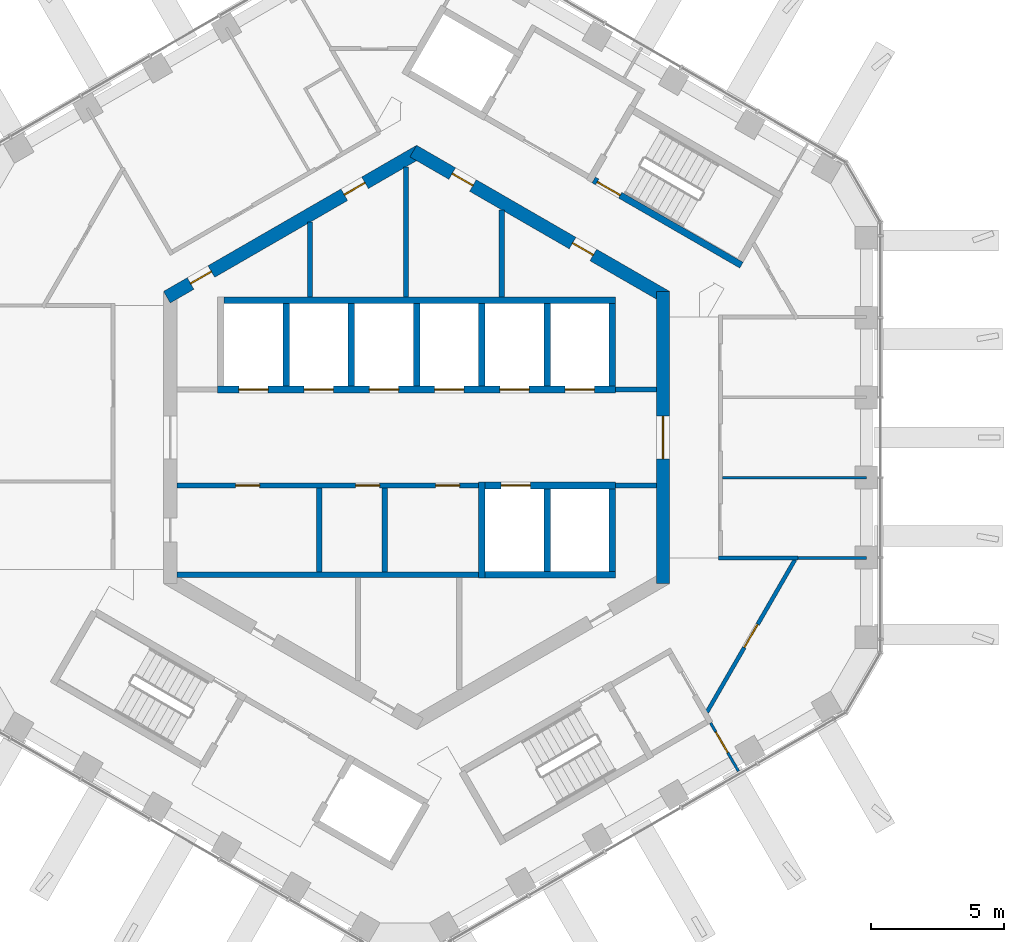
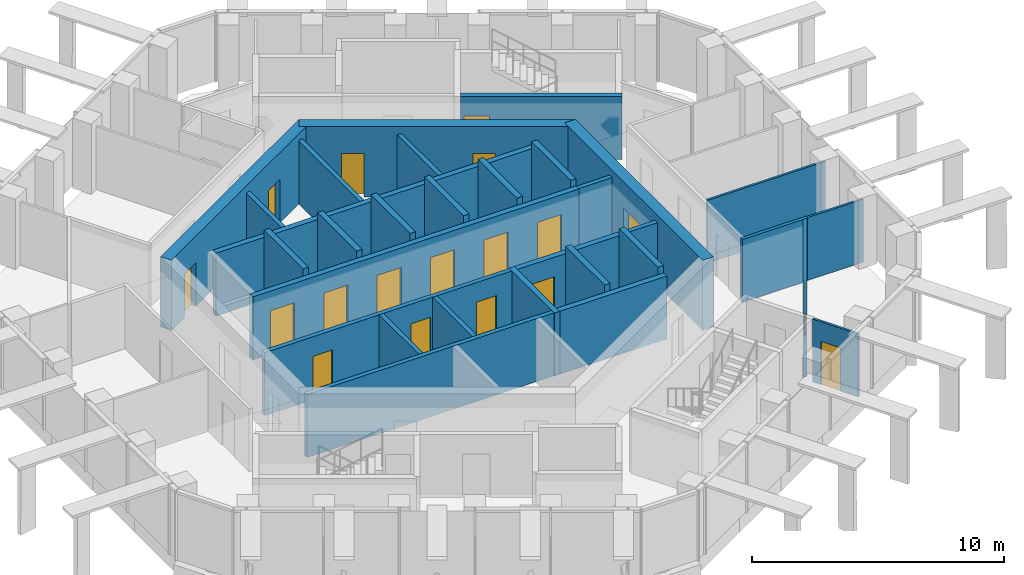
# One storey, part 12 of 18: 31 walls, 18 doors, 18 openings.
"""IFC4 building model written with IfcOpenShell, lengths in metres."""

import ifcopenshell
import ifcopenshell.guid

model = None  # the IFC model being written
_history = None  # IfcOwnerHistory: only IFC2X3 demands one
_inside = {}  # id of a spatial element -> (the spatial element, [elements in it])
_under = {}  # id of a project, library or spatial element -> (it, [spatial elements below it])
_declared = {}  # id of a project -> (the project, [libraries it declares])
_typed = {}  # id of a type object -> (the type object, [elements of that type])
_made_of = {}  # id of a material, layer set ... -> (it, [elements and type objects made of it])


def new_model(schema):
    """Start an empty IFC model of exactly this schema.

    Asked for "IFC4X3", IfcOpenShell would pick the latest addendum, in which some entities
    have other attributes; the version numbers below select the first issue.
    IFC2X3 requires an IfcOwnerHistory on every rooted entity: one is made here for all.
    """
    global model, _history
    if schema == "IFC4X3":
        model = ifcopenshell.file(schema_version=(4, 3, 0, 0))
    else:
        model = ifcopenshell.file(schema=schema)
    _inside.clear()
    _under.clear()
    _declared.clear()
    _typed.clear()
    _made_of.clear()
    _history = None
    if model.schema == "IFC2X3":
        org = make("IfcOrganization", Name="unknown")
        user = make(
            "IfcPersonAndOrganization",
            ThePerson=make("IfcPerson", FamilyName="unknown"),
            TheOrganization=org,
        )
        app = make(
            "IfcApplication",
            ApplicationDeveloper=org,
            Version="unknown",
            ApplicationFullName="unknown",
            ApplicationIdentifier="unknown",
        )
        _history = make(
            "IfcOwnerHistory",
            OwningUser=user,
            OwningApplication=app,
            ChangeAction="ADDED",
            CreationDate=0,
        )
    return model


def make(cls, **values):
    """One entity of the class cls with the attributes given. An attribute that is None is left unset."""
    return model.create_entity(
        cls, **{name: value for name, value in values.items() if value is not None}
    )


def rooted(cls, **values):
    """An entity with a GlobalId (a new one), such as an element, a storey or a relation."""
    return make(cls, GlobalId=ifcopenshell.guid.new(), OwnerHistory=_history, **values)


def si_unit(unit_type, name, prefix=None):
    """IfcSIUnit, for example si_unit("LENGTHUNIT", "METRE", prefix="MILLI")."""
    return make("IfcSIUnit", UnitType=unit_type, Prefix=prefix, Name=name)


def assignment(units):
    """IfcUnitAssignment: the units of a project."""
    return None if units is None else make("IfcUnitAssignment", Units=units)


def point(xyz):
    """IfcCartesianPoint."""
    return None if xyz is None else make("IfcCartesianPoint", Coordinates=xyz)


def direction(xyz):
    """IfcDirection."""
    return None if xyz is None else make("IfcDirection", DirectionRatios=xyz)


def frame(location, z_axis=None, x_axis=None):
    """IfcAxis2Placement3D, a coordinate frame: its origin and axes. An axis left out is left unset."""
    return make(
        "IfcAxis2Placement3D",
        Location=point(location),
        Axis=direction(z_axis),
        RefDirection=direction(x_axis),
    )


def frame_2d(location, x_axis=None):
    """IfcAxis2Placement2D, a coordinate frame in the plane: its origin and x axis."""
    return make(
        "IfcAxis2Placement2D", Location=point(location), RefDirection=direction(x_axis)
    )


def origin():
    """The frame at (0, 0, 0) with its axes left unset."""
    return frame((0.0, 0.0, 0.0))


def place(relative_to, where):
    """IfcLocalPlacement: puts the frame where relative to a parent placement (None: the world)."""
    return make(
        "IfcLocalPlacement", PlacementRelTo=relative_to, RelativePlacement=where
    )


def context(
    kind, dimensions, precision=None, world=None, true_north=None, identifier=None
):
    """IfcGeometricRepresentationContext, for example the 3D "Model" context."""
    return make(
        "IfcGeometricRepresentationContext",
        ContextIdentifier=identifier,
        ContextType=kind,
        CoordinateSpaceDimension=dimensions,
        Precision=precision,
        WorldCoordinateSystem=world,
        TrueNorth=true_north,
    )


def subcontext(parent, identifier, kind, view, scale=None):
    """IfcGeometricRepresentationSubContext, for example "Body" below "Model"."""
    return make(
        "IfcGeometricRepresentationSubContext",
        ContextIdentifier=identifier,
        ContextType=kind,
        ParentContext=parent,
        TargetScale=scale,
        TargetView=view,
    )


def project(units=None, contexts=None):
    """IfcProject with its units and contexts."""
    return rooted(
        "IfcProject",
        Name="project",
        RepresentationContexts=contexts,
        UnitsInContext=assignment(units),
    )


def spatial(cls, under=None, at=None, **own):
    """A site, building, storey or space (cls), placed at a placement, below another one or the project."""
    s = rooted(cls, ObjectPlacement=at, **own)
    if under is not None:
        _under.setdefault(under.id(), (under, []))[1].append(s)
    return s


def profile(cls, at=None, kind="AREA", **sizes):
    """A parametric profile (cls). Its sizes go by their IFC names, for example OverallWidth=200.0."""
    return make(cls, ProfileType=kind, Position=at, **sizes)


def rectangle(**sizes):
    """IfcRectangleProfileDef."""
    return profile("IfcRectangleProfileDef", **sizes)


def extrude(swept, where, along, depth):
    """IfcExtrudedAreaSolid: the profile swept, set in the frame where, extruded along a direction by depth."""
    return make(
        "IfcExtrudedAreaSolid",
        SweptArea=swept,
        Position=where,
        ExtrudedDirection=direction(along),
        Depth=depth,
    )


def shape(context_of_items, identifier, shape_type, items):
    """IfcShapeRepresentation: the items that make up one representation, for example the "Body"."""
    return make(
        "IfcShapeRepresentation",
        ContextOfItems=context_of_items,
        RepresentationIdentifier=identifier,
        RepresentationType=shape_type,
        Items=items,
    )


def material(Name=None, Category=None):
    """IfcMaterial."""
    return make("IfcMaterial", Name=Name, Category=Category)


def layer(
    of_material, thickness, ventilated=None, Name=None, Category=None, Priority=None
):
    """IfcMaterialLayer: one layer of a wall or slab, of a material (None: an air gap)."""
    return make(
        "IfcMaterialLayer",
        Material=of_material,
        LayerThickness=thickness,
        IsVentilated=ventilated,
        Name=Name,
        Category=Category,
        Priority=Priority,
    )


def layer_set(layers, Name=None):
    """IfcMaterialLayerSet."""
    return make("IfcMaterialLayerSet", MaterialLayers=layers, LayerSetName=Name)


def made_of(thing, what):
    """Note that an element or type object is made of a material, layer set ...; save() writes the relation."""
    if what is not None:
        _made_of.setdefault(what.id(), (what, []))[1].append(thing)
    return thing


def type_object(cls, material=None, **own):
    """A type object (cls), such as IfcWallType, which elements share."""
    return made_of(rooted(cls, **own), material)


def element(
    cls,
    number,
    at=None,
    inside=None,
    cuts=None,
    type_object=None,
    material=None,
    context=None,
    identifier="Body",
    shape_type=None,
    held_by="IfcProductDefinitionShape",
    body=None,
    shapes=None,
    **own,
):
    """One element of the class cls, such as IfcWall. Its Tag is "e" and its number.

    at: its placement. inside: the storey or other place that contains it. cuts: it is an
    opening in that element (IfcRelVoidsElement). A single representation is given by context,
    identifier, shape_type and body (its items); several are given by shapes. held_by: the class
    of the entity that holds the representations. save() writes the other relations.
    """
    e = rooted(cls, Tag="e%d" % number, ObjectPlacement=at, **own)
    if body is not None:
        shapes = [shape(context, identifier, shape_type, body)]
    if shapes is not None:
        e.Representation = make(held_by, Representations=shapes)
    if inside is not None:
        _inside.setdefault(inside.id(), (inside, []))[1].append(e)
    if cuts is not None:
        rooted(
            "IfcRelVoidsElement", RelatingBuildingElement=cuts, RelatedOpeningElement=e
        )
    if type_object is not None:
        _typed.setdefault(type_object.id(), (type_object, []))[1].append(e)
    return made_of(e, material)


def fill(opening, filler):
    """IfcRelFillsElement: the door or window that sits in an opening."""
    return rooted(
        "IfcRelFillsElement",
        RelatingOpeningElement=opening,
        RelatedBuildingElement=filler,
    )


def aggregate(whole, parts):
    """IfcRelAggregates: a whole, such as a stair, and the parts it consists of."""
    return rooted("IfcRelAggregates", RelatingObject=whole, RelatedObjects=parts)


def save(model, path):
    """Write the relations noted so far, then the file.

    IfcRelAggregates (storeys below a building ...), IfcRelContainedInSpatialStructure (elements
    in a storey), IfcRelDefinesByType, IfcRelAssociatesMaterial and IfcRelDeclares: one each for
    every whole, place, type object, material and project.
    """
    for whole, parts in _under.values():
        aggregate(whole, parts)
    for where, things in _inside.values():
        rooted(
            "IfcRelContainedInSpatialStructure",
            RelatedElements=things,
            RelatingStructure=where,
        )
    for kind, things in _typed.values():
        rooted("IfcRelDefinesByType", RelatedObjects=things, RelatingType=kind)
    for what, things in _made_of.values():
        rooted("IfcRelAssociatesMaterial", RelatedObjects=things, RelatingMaterial=what)
    for by, libraries in _declared.values():
        rooted("IfcRelDeclares", RelatingContext=by, RelatedDefinitions=libraries)
    model.write(path)


model = new_model("IFC4")

# Units and contexts
model_context = context("Model", 3, precision=1e-05, world=origin(), true_north=direction((0.0, 1.0)))
body_context = subcontext(model_context, "Body", "Model", "MODEL_VIEW")
ifc_project = project(units=[si_unit("LENGTHUNIT", "METRE"), si_unit("AREAUNIT", "SQUARE_METRE"), si_unit("VOLUMEUNIT", "CUBIC_METRE"), si_unit("PLANEANGLEUNIT", "RADIAN"), si_unit("MASSUNIT", "GRAM", prefix="KILO")], contexts=[model_context])

# Site, building, storey
site_placement = place(None, origin())
site = spatial("IfcSite", under=ifc_project, at=site_placement, CompositionType="ELEMENT")
building_placement = place(site_placement, origin())
building = spatial("IfcBuilding", under=site, at=building_placement, Name="Ayvan Gate Tower", CompositionType="ELEMENT")
storey_placement = place(building_placement, frame((0.0, 0.0, 242.699951171875)))
storey = spatial("IfcBuildingStorey", under=building, at=storey_placement, Name="L65", CompositionType="ELEMENT", Elevation=242.699951171875)

# Wall, opening, door
ifc_material_1 = material(Name="Concrete C60/75", Category="concrete")
ifc_layer_1 = layer(ifc_material_1, 0.5)
ifc_layer_set_1 = layer_set([ifc_layer_1], Name="Concrete C60/75")
wall_type_1 = type_object("IfcWallType", Name="Core wall 500 C60/75", PredefinedType="SHEAR", material=ifc_layer_set_1)
wall_1_placement = place(storey_placement, frame((9.25, -5.48486328125, 0.0), z_axis=(0.0, 0.0, 1.0), x_axis=(0.0, 1.0, 0.0)))
wall_1 = element("IfcWall", 1, at=wall_1_placement, inside=storey, type_object=wall_type_1, Name="CORE-L65-0", PredefinedType="SHEAR", context=body_context, shape_type="SweptSolid", body=[
    extrude(rectangle(XDim=10.9697265625, YDim=0.5, at=frame_2d((5.48486328125, 0.0))), origin(), (0.0, 0.0, 1.0), 3.400146484375),
])
opening_1_placement = place(wall_1_placement, frame((4.684814453125, 0.0, 0.0)))
opening_1 = element("IfcOpeningElement", 2, at=opening_1_placement, cuts=wall_1, Name="Opening L65-D45", PredefinedType="OPENING", context=body_context, shape_type="SweptSolid", body=[
    extrude(rectangle(XDim=1.60009765625, YDim=2.10009765625, at=frame_2d((0.800048828125, 1.050048828125))), frame((0.0, 0.260009765625, 0.0), z_axis=(0.0, -1.0, 0.0), x_axis=(1.0, 0.0, 0.0)), (0.0, 0.0, 1.0), 0.52001953125),
])
ifc_material_2 = material(Name="Timber door leaf", Category="wood")
door_type_1 = type_object("IfcDoorType", Name="DT-1600", OperationType="NOTDEFINED", PredefinedType="DOOR", material=ifc_material_2)
door_1_placement = place(opening_1_placement, origin())
door_1 = element("IfcDoor", 3, at=door_1_placement, inside=storey, type_object=door_type_1, Name="CD-L65-45", OperationType="SINGLE_SWING_RIGHT", OverallHeight=2.10009765625, OverallWidth=1.60009765625, PredefinedType="DOOR", context=body_context, shape_type="SweptSolid", body=[
    extrude(rectangle(XDim=1.60009765625, YDim=2.10009765625, at=frame_2d((0.800048828125, 1.050048828125))), frame((0.0, 0.02490234375, 0.0), z_axis=(0.0, -1.0, 0.0), x_axis=(1.0, 0.0, 0.0)), (0.0, 0.0, 1.0), 0.050048828125),
])
fill(opening_1, door_1)

# Wall, openings, doors
wall_2_placement = place(storey_placement, frame((9.375, 5.268310546875, 0.0), z_axis=(0.0, 0.0, 1.0), x_axis=(-0.866023993627, 0.500002442456, 0.0)))
wall_2 = element("IfcWall", 4, at=wall_2_placement, inside=storey, type_object=wall_type_1, Name="CORE-L65-1", PredefinedType="SHEAR", context=body_context, shape_type="SweptSolid", body=[
    extrude(rectangle(XDim=10.9697265625, YDim=0.5, at=frame_2d((5.48486328125, 0.0))), origin(), (0.0, 0.0, 1.0), 3.400146484375),
])
opening_2_placement = place(wall_2_placement, frame((8.3828125, 0.0, 0.0)))
opening_2 = element("IfcOpeningElement", 5, at=opening_2_placement, cuts=wall_2, Name="Opening L65-D39", PredefinedType="OPENING", context=body_context, shape_type="SweptSolid", body=[
    extrude(rectangle(XDim=0.89990234375, YDim=2.10009765625, at=frame_2d((0.449951171875, 1.050048828125))), frame((0.0, 0.260009765625, 0.0), z_axis=(0.0, -1.0, 0.0), x_axis=(1.0, 0.0, 0.0)), (0.0, 0.0, 1.0), 0.52001953125),
])
opening_3_placement = place(wall_2_placement, frame((3.164794921875, 0.0, 0.0)))
opening_3 = element("IfcOpeningElement", 6, at=opening_3_placement, cuts=wall_2, Name="Opening L65-D40", PredefinedType="OPENING", context=body_context, shape_type="SweptSolid", body=[
    extrude(rectangle(XDim=0.89990234375, YDim=2.10009765625, at=frame_2d((0.449951171875, 1.050048828125))), frame((0.0, 0.260009765625, 0.0), z_axis=(0.0, -1.0, 0.0), x_axis=(1.0, 0.0, 0.0)), (0.0, 0.0, 1.0), 0.52001953125),
])
door_type_2 = type_object("IfcDoorType", Name="DT-900", OperationType="NOTDEFINED", PredefinedType="DOOR", material=ifc_material_2)
door_2_placement = place(opening_2_placement, origin())
door_2 = element("IfcDoor", 7, at=door_2_placement, inside=storey, type_object=door_type_2, Name="CD-L65-39", OperationType="SINGLE_SWING_RIGHT", OverallHeight=2.10009765625, OverallWidth=0.89990234375, PredefinedType="DOOR", context=body_context, shape_type="SweptSolid", body=[
    extrude(rectangle(XDim=0.89990234375, YDim=2.10009765625, at=frame_2d((0.449951171875, 1.050048828125))), frame((0.0, 0.02490234375, 0.0), z_axis=(0.0, -1.0, 0.0), x_axis=(1.0, 0.0, 0.0)), (0.0, 0.0, 1.0), 0.050048828125),
])
fill(opening_2, door_2)
door_3_placement = place(opening_3_placement, origin())
door_3 = element("IfcDoor", 8, at=door_3_placement, inside=storey, type_object=door_type_2, Name="CD-L65-40", OperationType="SINGLE_SWING_LEFT", OverallHeight=2.10009765625, OverallWidth=0.89990234375, PredefinedType="DOOR", context=body_context, shape_type="SweptSolid", body=[
    extrude(rectangle(XDim=0.89990234375, YDim=2.10009765625, at=frame_2d((0.449951171875, 1.050048828125))), frame((0.0, 0.02490234375, 0.0), z_axis=(0.0, -1.0, 0.0), x_axis=(1.0, 0.0, 0.0)), (0.0, 0.0, 1.0), 0.050048828125),
])
fill(opening_3, door_3)

wall_3_placement = place(storey_placement, frame((0.125, 10.753173828125, 0.0), z_axis=(0.0, 0.0, 1.0), x_axis=(-0.866023993627, -0.500002442456, 0.0)))
wall_3 = element("IfcWall", 9, at=wall_3_placement, inside=storey, type_object=wall_type_1, Name="CORE-L65-2", PredefinedType="SHEAR", context=body_context, shape_type="SweptSolid", body=[
    extrude(rectangle(XDim=10.9697265625, YDim=0.5, at=frame_2d((5.48486328125, 0.0))), origin(), (0.0, 0.0, 1.0), 3.400146484375),
])
opening_4_placement = place(wall_3_placement, frame((9.042724609375, 0.0, 0.0)))
opening_4 = element("IfcOpeningElement", 10, at=opening_4_placement, cuts=wall_3, Name="Opening L65-D37", PredefinedType="OPENING", context=body_context, shape_type="SweptSolid", body=[
    extrude(rectangle(XDim=0.89990234375, YDim=2.10009765625, at=frame_2d((0.449951171875, 1.050048828125))), frame((0.0, 0.260009765625, 0.0), z_axis=(0.0, -1.0, 0.0), x_axis=(1.0, 0.0, 0.0)), (0.0, 0.0, 1.0), 0.52001953125),
])
opening_5_placement = place(wall_3_placement, frame((2.379638671875, 0.0, 0.0)))
opening_5 = element("IfcOpeningElement", 11, at=opening_5_placement, cuts=wall_3, Name="Opening L65-D38", PredefinedType="OPENING", context=body_context, shape_type="SweptSolid", body=[
    extrude(rectangle(XDim=0.89990234375, YDim=2.10009765625, at=frame_2d((0.449951171875, 1.050048828125))), frame((0.0, 0.260009765625, 0.0), z_axis=(0.0, -1.0, 0.0), x_axis=(1.0, 0.0, 0.0)), (0.0, 0.0, 1.0), 0.52001953125),
])
door_4_placement = place(opening_4_placement, origin())
door_4 = element("IfcDoor", 12, at=door_4_placement, inside=storey, type_object=door_type_2, Name="CD-L65-37", OperationType="SINGLE_SWING_RIGHT", OverallHeight=2.10009765625, OverallWidth=0.89990234375, PredefinedType="DOOR", context=body_context, shape_type="SweptSolid", body=[
    extrude(rectangle(XDim=0.89990234375, YDim=2.10009765625, at=frame_2d((0.449951171875, 1.050048828125))), frame((0.0, 0.02490234375, 0.0), z_axis=(0.0, -1.0, 0.0), x_axis=(1.0, 0.0, 0.0)), (0.0, 0.0, 1.0), 0.050048828125),
])
fill(opening_4, door_4)
door_5_placement = place(opening_5_placement, origin())
door_5 = element("IfcDoor", 13, at=door_5_placement, inside=storey, type_object=door_type_2, Name="CD-L65-38", OperationType="SINGLE_SWING_LEFT", OverallHeight=2.10009765625, OverallWidth=0.89990234375, PredefinedType="DOOR", context=body_context, shape_type="SweptSolid", body=[
    extrude(rectangle(XDim=0.89990234375, YDim=2.10009765625, at=frame_2d((0.449951171875, 1.050048828125))), frame((0.0, 0.02490234375, 0.0), z_axis=(0.0, -1.0, 0.0), x_axis=(1.0, 0.0, 0.0)), (0.0, 0.0, 1.0), 0.050048828125),
])
fill(opening_5, door_5)

# Wall
ifc_material_3 = material(Name="Plasterboard on steel stud", Category="steel")
ifc_layer_2 = layer(ifc_material_3, 0.14990234375)
ifc_layer_set_2 = layer_set([ifc_layer_2], Name="Plasterboard on steel stud")
wall_type_2 = type_object("IfcWallType", Name="WT-CORR-150", PredefinedType="PARTITIONING", material=ifc_layer_set_2)
wall_4_placement = place(storey_placement, frame((11.324951171875, -4.52294921875, 0.0), z_axis=(0.0, 0.0, 1.0), x_axis=(1.0, 0.0, 0.0)))
element("IfcWall", 14, at=wall_4_placement, inside=storey, type_object=wall_type_2, Name="IW-L65-070", PredefinedType="PARTITIONING", context=body_context, shape_type="SweptSolid", body=[
    extrude(rectangle(XDim=2.99267578125, YDim=0.14990234375, at=frame_2d((1.496337890625, 0.0))), origin(), (0.0, 0.0, 1.0), 3.050048828125),
])

# Wall, opening, door
wall_5_placement = place(storey_placement, frame((14.205078125, -4.587890625, 0.0), z_axis=(0.0, 0.0, 1.0), x_axis=(-0.499994358189, -0.866028661061, 0.0)))
wall_5 = element("IfcWall", 15, at=wall_5_placement, inside=storey, type_object=wall_type_2, Name="IW-L65-081", PredefinedType="PARTITIONING", context=body_context, shape_type="SweptSolid", body=[
    extrude(rectangle(XDim=6.6064453125, YDim=0.14990234375, at=frame_2d((3.30322265625, 0.0))), origin(), (0.0, 0.0, 1.0), 3.050048828125),
])
opening_6_placement = place(wall_5_placement, frame((2.80322265625, 0.0, 0.0)))
opening_6 = element("IfcOpeningElement", 16, at=opening_6_placement, cuts=wall_5, Name="Opening L65-D32", PredefinedType="OPENING", context=body_context, shape_type="SweptSolid", body=[
    extrude(rectangle(XDim=1.0, YDim=2.10009765625, at=frame_2d((0.5, 1.050048828125))), frame((0.0, 0.0849609375, 0.0), z_axis=(0.0, -1.0, 0.0), x_axis=(1.0, 0.0, 0.0)), (0.0, 0.0, 1.0), 0.169921875),
])
door_type_3 = type_object("IfcDoorType", Name="DT-1000", OperationType="NOTDEFINED", PredefinedType="DOOR", material=ifc_material_2)
door_6_placement = place(opening_6_placement, origin())
door_6 = element("IfcDoor", 17, at=door_6_placement, inside=storey, type_object=door_type_3, Name="ID-L65-032", OperationType="SINGLE_SWING_LEFT", OverallHeight=2.10009765625, OverallWidth=1.0, PredefinedType="DOOR", context=body_context, shape_type="SweptSolid", body=[
    extrude(rectangle(XDim=1.0, YDim=2.10009765625, at=frame_2d((0.5, 1.050048828125))), frame((0.0, 0.02490234375, 0.0), z_axis=(0.0, -1.0, 0.0), x_axis=(1.0, 0.0, 0.0)), (0.0, 0.0, 1.0), 0.050048828125),
])
fill(opening_6, door_6)

# Wall
ifc_layer_3 = layer(ifc_material_3, 0.10009765625)
ifc_layer_set_3 = layer_set([ifc_layer_3], Name="Plasterboard on steel stud")
wall_type_3 = type_object("IfcWallType", Name="WT-PART-100", PredefinedType="PARTITIONING", material=ifc_layer_set_3)
wall_6_placement = place(storey_placement, frame((11.47509765625, -1.5078125, 0.0), z_axis=(0.0, 0.0, 1.0), x_axis=(1.0, 0.0, 0.0)))
element("IfcWall", 18, at=wall_6_placement, inside=storey, type_object=wall_type_3, Name="IW-L65-071", PredefinedType="PARTITIONING", context=body_context, shape_type="SweptSolid", body=[
    extrude(rectangle(XDim=5.412353515625, YDim=0.10009765625, at=frame_2d((2.7060546875, 0.0))), origin(), (0.0, 0.0, 1.0), 3.050048828125),
])

# Wall, opening, door
wall_7_placement = place(storey_placement, frame((12.083740234375, -12.52978515625, 0.0), z_axis=(0.0, 0.0, 1.0), x_axis=(-0.499927760501, 0.866067107261, 0.0)))
wall_7 = element("IfcWall", 19, at=wall_7_placement, inside=storey, type_object=wall_type_3, Name="IW-L65-074", PredefinedType="PARTITIONING", context=body_context, shape_type="SweptSolid", body=[
    extrude(rectangle(XDim=2.093017578125, YDim=0.10009765625, at=frame_2d((1.04638671875, 0.0))), origin(), (0.0, 0.0, 1.0), 3.050048828125),
])
opening_7_placement = place(wall_7_placement, frame((0.80712890625, 0.0, 0.0)))
opening_7 = element("IfcOpeningElement", 20, at=opening_7_placement, cuts=wall_7, Name="Opening L65-D33", PredefinedType="OPENING", context=body_context, shape_type="SweptSolid", body=[
    extrude(rectangle(XDim=0.89990234375, YDim=2.10009765625, at=frame_2d((0.449951171875, 1.050048828125))), frame((0.0, 0.06005859375, 0.0), z_axis=(0.0, -1.0, 0.0), x_axis=(1.0, 0.0, 0.0)), (0.0, 0.0, 1.0), 0.1201171875),
])
door_7_placement = place(opening_7_placement, origin())
door_7 = element("IfcDoor", 21, at=door_7_placement, inside=storey, type_object=door_type_2, Name="ID-L65-033", OperationType="SINGLE_SWING_RIGHT", OverallHeight=2.10009765625, OverallWidth=0.89990234375, PredefinedType="DOOR", context=body_context, shape_type="SweptSolid", body=[
    extrude(rectangle(XDim=0.89990234375, YDim=2.10009765625, at=frame_2d((0.449951171875, 1.050048828125))), frame((0.0, 0.02490234375, 0.0), z_axis=(0.0, -1.0, 0.0), x_axis=(1.0, 0.0, 0.0)), (0.0, 0.0, 1.0), 0.050048828125),
])
fill(opening_7, door_7)

# Walls
wall_8_placement = place(storey_placement, frame((16.887451171875, -4.52294921875, 0.0), z_axis=(0.0, 0.0, 1.0), x_axis=(-1.0, 0.0, 0.0)))
element("IfcWall", 22, at=wall_8_placement, inside=storey, type_object=wall_type_3, Name="IW-L65-082", PredefinedType="PARTITIONING", context=body_context, shape_type="SweptSolid", body=[
    extrude(rectangle(XDim=2.56982421875, YDim=0.10009765625, at=frame_2d((1.284912109375, 0.0))), origin(), (0.0, 0.0, 1.0), 3.050048828125),
])
ifc_layer_4 = layer(ifc_material_3, 0.199951171875)
ifc_layer_set_4 = layer_set([ifc_layer_4], Name="Plasterboard on steel stud")
wall_type_4 = type_object("IfcWallType", Name="WT-RATED-200", PredefinedType="PARTITIONING", material=ifc_layer_set_4)
wall_9_placement = place(storey_placement, frame((-9.0, -5.14990234375, 0.0), z_axis=(0.0, 0.0, 1.0), x_axis=(1.0, 0.0, 0.0)))
element("IfcWall", 23, at=wall_9_placement, inside=storey, type_object=wall_type_4, Name="IW-L65-011", PredefinedType="PARTITIONING", context=body_context, shape_type="SweptSolid", body=[
    extrude(rectangle(XDim=11.3251953125, YDim=0.199951171875, at=frame_2d((5.66259765625, 0.0))), origin(), (0.0, 0.0, 1.0), 3.050048828125),
])
wall_10_placement = place(storey_placement, frame((-4.0, 8.0830078125, 0.0), z_axis=(0.0, 0.0, 1.0), x_axis=(0.0, -1.0, 0.0)))
element("IfcWall", 24, at=wall_10_placement, inside=storey, type_object=wall_type_4, Name="IW-L65-021", PredefinedType="PARTITIONING", context=body_context, shape_type="SweptSolid", body=[
    extrude(rectangle(XDim=2.80810546875, YDim=0.199951171875, at=frame_2d((1.404052734375, 0.0))), origin(), (0.0, 0.0, 1.0), 3.050048828125),
])
wall_11_placement = place(storey_placement, frame((-3.64990234375, -1.89990234375, 0.0), z_axis=(0.0, 0.0, 1.0), x_axis=(0.0, -1.0, 0.0)))
element("IfcWall", 25, at=wall_11_placement, inside=storey, type_object=wall_type_4, Name="IW-L65-022", PredefinedType="PARTITIONING", context=body_context, shape_type="SweptSolid", body=[
    extrude(rectangle(XDim=3.150146484375, YDim=0.199951171875, at=frame_2d((1.5751953125, 0.0))), origin(), (0.0, 0.0, 1.0), 3.050048828125),
])

# Wall, openings, doors
wall_12_placement = place(storey_placement, frame((-9.0, -1.800048828125, 0.0), z_axis=(0.0, 0.0, 1.0), x_axis=(1.0, 0.0, 0.0)))
wall_12 = element("IfcWall", 26, at=wall_12_placement, inside=storey, type_object=wall_type_4, Name="IW-L65-023", PredefinedType="PARTITIONING", context=body_context, shape_type="SweptSolid", body=[
    extrude(rectangle(XDim=11.3251953125, YDim=0.199951171875, at=frame_2d((5.66259765625, 0.0))), origin(), (0.0, 0.0, 1.0), 3.050048828125),
])
opening_8_placement = place(wall_12_placement, frame((2.2099609375, 0.0, 0.0)))
opening_8 = element("IfcOpeningElement", 27, at=opening_8_placement, cuts=wall_12, Name="Opening L65-D08", PredefinedType="OPENING", context=body_context, shape_type="SweptSolid", body=[
    extrude(rectangle(XDim=0.89990234375, YDim=2.10009765625, at=frame_2d((0.449951171875, 1.050048828125))), frame((0.0, 0.10986328125, 0.0), z_axis=(0.0, -1.0, 0.0), x_axis=(1.0, 0.0, 0.0)), (0.0, 0.0, 1.0), 0.219970703125),
])
opening_9_placement = place(wall_12_placement, frame((6.7099609375, 0.0, 0.0)))
opening_9 = element("IfcOpeningElement", 28, at=opening_9_placement, cuts=wall_12, Name="Opening L65-D09", PredefinedType="OPENING", context=body_context, shape_type="SweptSolid", body=[
    extrude(rectangle(XDim=0.89990234375, YDim=2.10009765625, at=frame_2d((0.449951171875, 1.050048828125))), frame((0.0, 0.10986328125, 0.0), z_axis=(0.0, -1.0, 0.0), x_axis=(1.0, 0.0, 0.0)), (0.0, 0.0, 1.0), 0.219970703125),
])
opening_10_placement = place(wall_12_placement, frame((9.712646484375, 0.0, 0.0)))
opening_10 = element("IfcOpeningElement", 29, at=opening_10_placement, cuts=wall_12, Name="Opening L65-D10", PredefinedType="OPENING", context=body_context, shape_type="SweptSolid", body=[
    extrude(rectangle(XDim=0.89990234375, YDim=2.10009765625, at=frame_2d((0.449951171875, 1.050048828125))), frame((0.0, 0.10986328125, 0.0), z_axis=(0.0, -1.0, 0.0), x_axis=(1.0, 0.0, 0.0)), (0.0, 0.0, 1.0), 0.219970703125),
])
door_8_placement = place(opening_8_placement, origin())
door_8 = element("IfcDoor", 30, at=door_8_placement, inside=storey, type_object=door_type_2, Name="ID-L65-008", OperationType="SINGLE_SWING_LEFT", OverallHeight=2.10009765625, OverallWidth=0.89990234375, PredefinedType="DOOR", context=body_context, shape_type="SweptSolid", body=[
    extrude(rectangle(XDim=0.89990234375, YDim=2.10009765625, at=frame_2d((0.449951171875, 1.050048828125))), frame((0.0, 0.02490234375, 0.0), z_axis=(0.0, -1.0, 0.0), x_axis=(1.0, 0.0, 0.0)), (0.0, 0.0, 1.0), 0.050048828125),
])
fill(opening_8, door_8)
door_9_placement = place(opening_9_placement, origin())
door_9 = element("IfcDoor", 31, at=door_9_placement, inside=storey, type_object=door_type_2, Name="ID-L65-009", OperationType="SINGLE_SWING_RIGHT", OverallHeight=2.10009765625, OverallWidth=0.89990234375, PredefinedType="DOOR", context=body_context, shape_type="SweptSolid", body=[
    extrude(rectangle(XDim=0.89990234375, YDim=2.10009765625, at=frame_2d((0.449951171875, 1.050048828125))), frame((0.0, 0.02490234375, 0.0), z_axis=(0.0, -1.0, 0.0), x_axis=(1.0, 0.0, 0.0)), (0.0, 0.0, 1.0), 0.050048828125),
])
fill(opening_9, door_9)
door_10_placement = place(opening_10_placement, origin())
door_10 = element("IfcDoor", 32, at=door_10_placement, inside=storey, type_object=door_type_2, Name="ID-L65-010", OperationType="SINGLE_SWING_LEFT", OverallHeight=2.10009765625, OverallWidth=0.89990234375, PredefinedType="DOOR", context=body_context, shape_type="SweptSolid", body=[
    extrude(rectangle(XDim=0.89990234375, YDim=2.10009765625, at=frame_2d((0.449951171875, 1.050048828125))), frame((0.0, 0.02490234375, 0.0), z_axis=(0.0, -1.0, 0.0), x_axis=(1.0, 0.0, 0.0)), (0.0, 0.0, 1.0), 0.050048828125),
])
fill(opening_10, door_10)

# Walls
wall_13_placement = place(storey_placement, frame((-1.199951171875, -1.89990234375, 0.0), z_axis=(0.0, 0.0, 1.0), x_axis=(0.0, -1.0, 0.0)))
element("IfcWall", 33, at=wall_13_placement, inside=storey, type_object=wall_type_4, Name="IW-L65-033", PredefinedType="PARTITIONING", context=body_context, shape_type="SweptSolid", body=[
    extrude(rectangle(XDim=3.150146484375, YDim=0.199951171875, at=frame_2d((1.5751953125, 0.0))), origin(), (0.0, 0.0, 1.0), 3.050048828125),
])
wall_14_placement = place(storey_placement, frame((-0.39990234375, 10.161376953125, 0.0), z_axis=(0.0, 0.0, 1.0), x_axis=(0.0, -1.0, 0.0)))
element("IfcWall", 34, at=wall_14_placement, inside=storey, type_object=wall_type_4, Name="IW-L65-035", PredefinedType="PARTITIONING", context=body_context, shape_type="SweptSolid", body=[
    extrude(rectangle(XDim=4.886474609375, YDim=0.199951171875, at=frame_2d((2.443359375, 0.0))), origin(), (0.0, 0.0, 1.0), 3.050048828125),
])
wall_15_placement = place(storey_placement, frame((3.199951171875, 8.544921875, 0.0), z_axis=(0.0, 0.0, 1.0), x_axis=(0.0, -1.0, 0.0)))
element("IfcWall", 35, at=wall_15_placement, inside=storey, type_object=wall_type_4, Name="IW-L65-048", PredefinedType="PARTITIONING", context=body_context, shape_type="SweptSolid", body=[
    extrude(rectangle(XDim=3.27001953125, YDim=0.199951171875, at=frame_2d((1.635009765625, 0.0))), origin(), (0.0, 0.0, 1.0), 3.050048828125),
])
for number, where, z_axis, x_axis, name in (
    (36, (7.474853515625, 1.800048828125, 0.0), (0.0, 0.0, 1.0), (1.0, 0.0, 0.0), "IW-L65-060"),
    (37, (9.0, -1.800048828125, 0.0), (0.0, 0.0, 1.0), (-1.0, 0.0, 0.0), "IW-L65-067"),
):
    element("IfcWall", number, at=place(storey_placement, frame(where, z_axis=z_axis, x_axis=x_axis)), inside=storey, type_object=wall_type_4, Name=name, PredefinedType="PARTITIONING", context=body_context, shape_type="SweptSolid", body=[
        extrude(rectangle(XDim=1.525146484375, YDim=0.199951171875, at=frame_2d((0.7626953125, 0.0))), origin(), (0.0, 0.0, 1.0), 3.050048828125),
    ])

# Wall, openings, doors
ifc_material_4 = material(Name="Concrete C50/60", Category="concrete")
ifc_layer_5 = layer(ifc_material_4, 0.25)
ifc_layer_set_5 = layer_set([ifc_layer_5], Name="Concrete C50/60")
wall_type_5 = type_object("IfcWallType", Name="WT-RC-250", PredefinedType="SHEAR", material=ifc_layer_set_5)
wall_16_placement = place(storey_placement, frame((-7.47509765625, 1.800048828125, 0.0), z_axis=(0.0, 0.0, 1.0), x_axis=(1.0, 0.0, 0.0)))
wall_16 = element("IfcWall", 38, at=wall_16_placement, inside=storey, type_object=wall_type_5, Name="IW-L65-013", PredefinedType="SHEAR", context=body_context, shape_type="SweptSolid", body=[
    extrude(rectangle(XDim=14.9501953125, YDim=0.25, at=frame_2d((7.47509765625, 0.0))), origin(), (0.0, 0.0, 1.0), 3.050048828125),
])
opening_11_placement = place(wall_16_placement, frame((0.800048828125, 0.0, 0.0)))
opening_11 = element("IfcOpeningElement", 39, at=opening_11_placement, cuts=wall_16, Name="Opening L65-LD-HR1", PredefinedType="OPENING", context=body_context, shape_type="SweptSolid", body=[
    extrude(rectangle(XDim=1.10009765625, YDim=2.10009765625, at=frame_2d((0.550048828125, 1.050048828125))), frame((0.0, 0.135009765625, 0.0), z_axis=(0.0, -1.0, 0.0), x_axis=(1.0, 0.0, 0.0)), (0.0, 0.0, 1.0), 0.27001953125),
])
opening_12_placement = place(wall_16_placement, frame((3.25, 0.0, 0.0)))
opening_12 = element("IfcOpeningElement", 40, at=opening_12_placement, cuts=wall_16, Name="Opening L65-LD-HR2", PredefinedType="OPENING", context=body_context, shape_type="SweptSolid", body=[
    extrude(rectangle(XDim=1.10009765625, YDim=2.10009765625, at=frame_2d((0.550048828125, 1.050048828125))), frame((0.0, 0.135009765625, 0.0), z_axis=(0.0, -1.0, 0.0), x_axis=(1.0, 0.0, 0.0)), (0.0, 0.0, 1.0), 0.27001953125),
])
opening_13_placement = place(wall_16_placement, frame((5.7001953125, 0.0, 0.0)))
opening_13 = element("IfcOpeningElement", 41, at=opening_13_placement, cuts=wall_16, Name="Opening L65-LD-HR3", PredefinedType="OPENING", context=body_context, shape_type="SweptSolid", body=[
    extrude(rectangle(XDim=1.10009765625, YDim=2.10009765625, at=frame_2d((0.550048828125, 1.050048828125))), frame((0.0, 0.135009765625, 0.0), z_axis=(0.0, -1.0, 0.0), x_axis=(1.0, 0.0, 0.0)), (0.0, 0.0, 1.0), 0.27001953125),
])
opening_14_placement = place(wall_16_placement, frame((8.150146484375, 0.0, 0.0)))
opening_14 = element("IfcOpeningElement", 42, at=opening_14_placement, cuts=wall_16, Name="Opening L65-LD-HR4", PredefinedType="OPENING", context=body_context, shape_type="SweptSolid", body=[
    extrude(rectangle(XDim=1.10009765625, YDim=2.10009765625, at=frame_2d((0.550048828125, 1.050048828125))), frame((0.0, 0.135009765625, 0.0), z_axis=(0.0, -1.0, 0.0), x_axis=(1.0, 0.0, 0.0)), (0.0, 0.0, 1.0), 0.27001953125),
])
opening_15_placement = place(wall_16_placement, frame((10.60009765625, 0.0, 0.0)))
opening_15 = element("IfcOpeningElement", 43, at=opening_15_placement, cuts=wall_16, Name="Opening L65-LD-HR5", PredefinedType="OPENING", context=body_context, shape_type="SweptSolid", body=[
    extrude(rectangle(XDim=1.10009765625, YDim=2.10009765625, at=frame_2d((0.550048828125, 1.050048828125))), frame((0.0, 0.135009765625, 0.0), z_axis=(0.0, -1.0, 0.0), x_axis=(1.0, 0.0, 0.0)), (0.0, 0.0, 1.0), 0.27001953125),
])
opening_16_placement = place(wall_16_placement, frame((13.050048828125, 0.0, 0.0)))
opening_16 = element("IfcOpeningElement", 44, at=opening_16_placement, cuts=wall_16, Name="Opening L65-LD-HR6", PredefinedType="OPENING", context=body_context, shape_type="SweptSolid", body=[
    extrude(rectangle(XDim=1.10009765625, YDim=2.10009765625, at=frame_2d((0.550048828125, 1.050048828125))), frame((0.0, 0.135009765625, 0.0), z_axis=(0.0, -1.0, 0.0), x_axis=(1.0, 0.0, 0.0)), (0.0, 0.0, 1.0), 0.27001953125),
])
ifc_material_5 = material(Name="Stainless steel landing door", Category="steel")
door_type_4 = type_object("IfcDoorType", Name="DT-LANDING-1100", OperationType="SLIDING_TO_LEFT", PredefinedType="DOOR", material=ifc_material_5)
door_11_placement = place(opening_11_placement, origin())
door_11 = element("IfcDoor", 45, at=door_11_placement, inside=storey, type_object=door_type_4, Name="ID-L65-001", OperationType="SLIDING_TO_LEFT", OverallHeight=2.10009765625, OverallWidth=1.10009765625, PredefinedType="DOOR", context=body_context, shape_type="SweptSolid", body=[
    extrude(rectangle(XDim=1.10009765625, YDim=2.10009765625, at=frame_2d((0.550048828125, 1.050048828125))), frame((0.0, 0.02490234375, 0.0), z_axis=(0.0, -1.0, 0.0), x_axis=(1.0, 0.0, 0.0)), (0.0, 0.0, 1.0), 0.050048828125),
])
fill(opening_11, door_11)
door_12_placement = place(opening_12_placement, origin())
door_12 = element("IfcDoor", 46, at=door_12_placement, inside=storey, type_object=door_type_4, Name="ID-L65-002", OperationType="SLIDING_TO_LEFT", OverallHeight=2.10009765625, OverallWidth=1.10009765625, PredefinedType="DOOR", context=body_context, shape_type="SweptSolid", body=[
    extrude(rectangle(XDim=1.10009765625, YDim=2.10009765625, at=frame_2d((0.550048828125, 1.050048828125))), frame((0.0, 0.02490234375, 0.0), z_axis=(0.0, -1.0, 0.0), x_axis=(1.0, 0.0, 0.0)), (0.0, 0.0, 1.0), 0.050048828125),
])
fill(opening_12, door_12)
door_13_placement = place(opening_13_placement, origin())
door_13 = element("IfcDoor", 47, at=door_13_placement, inside=storey, type_object=door_type_4, Name="ID-L65-003", OperationType="SLIDING_TO_LEFT", OverallHeight=2.10009765625, OverallWidth=1.10009765625, PredefinedType="DOOR", context=body_context, shape_type="SweptSolid", body=[
    extrude(rectangle(XDim=1.10009765625, YDim=2.10009765625, at=frame_2d((0.550048828125, 1.050048828125))), frame((0.0, 0.02490234375, 0.0), z_axis=(0.0, -1.0, 0.0), x_axis=(1.0, 0.0, 0.0)), (0.0, 0.0, 1.0), 0.050048828125),
])
fill(opening_13, door_13)
door_14_placement = place(opening_14_placement, origin())
door_14 = element("IfcDoor", 48, at=door_14_placement, inside=storey, type_object=door_type_4, Name="ID-L65-004", OperationType="SLIDING_TO_LEFT", OverallHeight=2.10009765625, OverallWidth=1.10009765625, PredefinedType="DOOR", context=body_context, shape_type="SweptSolid", body=[
    extrude(rectangle(XDim=1.10009765625, YDim=2.10009765625, at=frame_2d((0.550048828125, 1.050048828125))), frame((0.0, 0.02490234375, 0.0), z_axis=(0.0, -1.0, 0.0), x_axis=(1.0, 0.0, 0.0)), (0.0, 0.0, 1.0), 0.050048828125),
])
fill(opening_14, door_14)
door_15_placement = place(opening_15_placement, origin())
door_15 = element("IfcDoor", 49, at=door_15_placement, inside=storey, type_object=door_type_4, Name="ID-L65-005", OperationType="SLIDING_TO_LEFT", OverallHeight=2.10009765625, OverallWidth=1.10009765625, PredefinedType="DOOR", context=body_context, shape_type="SweptSolid", body=[
    extrude(rectangle(XDim=1.10009765625, YDim=2.10009765625, at=frame_2d((0.550048828125, 1.050048828125))), frame((0.0, 0.02490234375, 0.0), z_axis=(0.0, -1.0, 0.0), x_axis=(1.0, 0.0, 0.0)), (0.0, 0.0, 1.0), 0.050048828125),
])
fill(opening_15, door_15)
door_16_placement = place(opening_16_placement, origin())
door_16 = element("IfcDoor", 50, at=door_16_placement, inside=storey, type_object=door_type_4, Name="ID-L65-006", OperationType="SLIDING_TO_LEFT", OverallHeight=2.10009765625, OverallWidth=1.10009765625, PredefinedType="DOOR", context=body_context, shape_type="SweptSolid", body=[
    extrude(rectangle(XDim=1.10009765625, YDim=2.10009765625, at=frame_2d((0.550048828125, 1.050048828125))), frame((0.0, 0.02490234375, 0.0), z_axis=(0.0, -1.0, 0.0), x_axis=(1.0, 0.0, 0.0)), (0.0, 0.0, 1.0), 0.050048828125),
])
fill(opening_16, door_16)

# Walls
wall_17_placement = place(storey_placement, frame((-7.22509765625, 5.14990234375, 0.0), z_axis=(0.0, 0.0, 1.0), x_axis=(1.0, 0.0, 0.0)))
element("IfcWall", 51, at=wall_17_placement, inside=storey, type_object=wall_type_5, Name="IW-L65-015", PredefinedType="SHEAR", context=body_context, shape_type="SweptSolid", body=[
    extrude(rectangle(XDim=14.7001953125, YDim=0.25, at=frame_2d((7.35009765625, 0.0))), origin(), (0.0, 0.0, 1.0), 3.050048828125),
])
for number, where, z_axis, x_axis, name in (
    (52, (-4.89990234375, 5.02490234375, 0.0), (0.0, 0.0, 1.0), (0.0, -1.0, 0.0), "IW-L65-018"),
    (53, (-2.449951171875, 5.02490234375, 0.0), (0.0, 0.0, 1.0), (0.0, -1.0, 0.0), "IW-L65-030"),
    (54, (0.0, 5.02490234375, 0.0), (0.0, 0.0, 1.0), (0.0, -1.0, 0.0), "IW-L65-037"),
):
    element("IfcWall", number, at=place(storey_placement, frame(where, z_axis=z_axis, x_axis=x_axis)), inside=storey, type_object=wall_type_5, Name=name, PredefinedType="SHEAR", context=body_context, shape_type="SweptSolid", body=[
        extrude(rectangle(XDim=3.099853515625, YDim=0.25, at=frame_2d((1.5498046875, 0.0))), origin(), (0.0, 0.0, 1.0), 3.400146484375),
    ])
wall_18_placement = place(storey_placement, frame((2.449951171875, -5.27490234375, 0.0), z_axis=(0.0, 0.0, 1.0), x_axis=(0.0, 1.0, 0.0)))
element("IfcWall", 55, at=wall_18_placement, inside=storey, type_object=wall_type_5, Name="IW-L65-043", PredefinedType="SHEAR", context=body_context, shape_type="SweptSolid", body=[
    extrude(rectangle(XDim=3.599853515625, YDim=0.25, at=frame_2d((1.7998046875, 0.0))), origin(), (0.0, 0.0, 1.0), 3.050048828125),
])
wall_19_placement = place(storey_placement, frame((2.449951171875, 5.02490234375, 0.0), z_axis=(0.0, 0.0, 1.0), x_axis=(0.0, -1.0, 0.0)))
element("IfcWall", 56, at=wall_19_placement, inside=storey, type_object=wall_type_5, Name="IW-L65-044", PredefinedType="SHEAR", context=body_context, shape_type="SweptSolid", body=[
    extrude(rectangle(XDim=3.099853515625, YDim=0.25, at=frame_2d((1.5498046875, 0.0))), origin(), (0.0, 0.0, 1.0), 3.400146484375),
])
wall_20_placement = place(storey_placement, frame((2.574951171875, -5.14990234375, 0.0), z_axis=(0.0, 0.0, 1.0), x_axis=(1.0, 0.0, 0.0)))
element("IfcWall", 57, at=wall_20_placement, inside=storey, type_object=wall_type_5, Name="IW-L65-051", PredefinedType="SHEAR", context=body_context, shape_type="SweptSolid", body=[
    extrude(rectangle(XDim=4.900146484375, YDim=0.25, at=frame_2d((2.4501953125, 0.0))), origin(), (0.0, 0.0, 1.0), 3.050048828125),
])
for number, where, z_axis, x_axis, name in (
    (58, (4.89990234375, -1.925048828125, 0.0), (0.0, 0.0, 1.0), (0.0, -1.0, 0.0), "IW-L65-052"),
    (59, (4.89990234375, 5.02490234375, 0.0), (0.0, 0.0, 1.0), (0.0, -1.0, 0.0), "IW-L65-053"),
):
    element("IfcWall", number, at=place(storey_placement, frame(where, z_axis=z_axis, x_axis=x_axis)), inside=storey, type_object=wall_type_5, Name=name, PredefinedType="SHEAR", context=body_context, shape_type="SweptSolid", body=[
        extrude(rectangle(XDim=3.099853515625, YDim=0.25, at=frame_2d((1.5498046875, 0.0))), origin(), (0.0, 0.0, 1.0), 3.400146484375),
    ])

# Wall, opening, door
wall_21_placement = place(storey_placement, frame((2.574951171875, -1.800048828125, 0.0), z_axis=(0.0, 0.0, 1.0), x_axis=(1.0, 0.0, 0.0)))
wall_21 = element("IfcWall", 60, at=wall_21_placement, inside=storey, type_object=wall_type_5, Name="IW-L65-054", PredefinedType="SHEAR", context=body_context, shape_type="SweptSolid", body=[
    extrude(rectangle(XDim=4.900146484375, YDim=0.25, at=frame_2d((2.4501953125, 0.0))), origin(), (0.0, 0.0, 1.0), 3.050048828125),
])
opening_17_placement = place(wall_21_placement, frame((0.597412109375, 0.0, 0.0)))
opening_17 = element("IfcOpeningElement", 61, at=opening_17_placement, cuts=wall_21, Name="Opening L65-LD-SV", PredefinedType="OPENING", context=body_context, shape_type="SweptSolid", body=[
    extrude(rectangle(XDim=1.10009765625, YDim=2.10009765625, at=frame_2d((0.550048828125, 1.050048828125))), frame((0.0, 0.135009765625, 0.0), z_axis=(0.0, -1.0, 0.0), x_axis=(1.0, 0.0, 0.0)), (0.0, 0.0, 1.0), 0.27001953125),
])
door_17_placement = place(opening_17_placement, origin())
door_17 = element("IfcDoor", 62, at=door_17_placement, inside=storey, type_object=door_type_4, Name="ID-L65-007", OperationType="SLIDING_TO_LEFT", OverallHeight=2.10009765625, OverallWidth=1.10009765625, PredefinedType="DOOR", context=body_context, shape_type="SweptSolid", body=[
    extrude(rectangle(XDim=1.10009765625, YDim=2.10009765625, at=frame_2d((0.550048828125, 1.050048828125))), frame((0.0, 0.02490234375, 0.0), z_axis=(0.0, -1.0, 0.0), x_axis=(1.0, 0.0, 0.0)), (0.0, 0.0, 1.0), 0.050048828125),
])
fill(opening_17, door_17)

# Walls
for number, where, z_axis, x_axis, name in (
    (63, (7.35009765625, -1.925048828125, 0.0), (0.0, 0.0, 1.0), (0.0, -1.0, 0.0), "IW-L65-061"),
    (64, (7.35009765625, 5.02490234375, 0.0), (0.0, 0.0, 1.0), (0.0, -1.0, 0.0), "IW-L65-062"),
):
    element("IfcWall", number, at=place(storey_placement, frame(where, z_axis=z_axis, x_axis=x_axis)), inside=storey, type_object=wall_type_5, Name=name, PredefinedType="SHEAR", context=body_context, shape_type="SweptSolid", body=[
        extrude(rectangle(XDim=3.099853515625, YDim=0.25, at=frame_2d((1.5498046875, 0.0))), origin(), (0.0, 0.0, 1.0), 3.400146484375),
    ])

# Wall, opening, door
wall_22_placement = place(storey_placement, frame((12.193603515625, 6.469970703125, 0.0), z_axis=(0.0, 0.0, 1.0), x_axis=(-0.866025499775, 0.499999833739, 0.0)))
wall_22 = element("IfcWall", 65, at=wall_22_placement, inside=storey, type_object=wall_type_5, Name="IW-L65-075", PredefinedType="SHEAR", context=body_context, shape_type="SweptSolid", body=[
    extrude(rectangle(XDim=6.39990234375, YDim=0.25, at=frame_2d((3.199951171875, 0.0))), origin(), (0.0, 0.0, 1.0), 3.050048828125),
])
opening_18_placement = place(wall_22_placement, frame((5.25, 0.0, 0.0)))
opening_18 = element("IfcOpeningElement", 66, at=opening_18_placement, cuts=wall_22, Name="Opening L65-D11", PredefinedType="OPENING", context=body_context, shape_type="SweptSolid", body=[
    extrude(rectangle(XDim=1.0, YDim=2.10009765625, at=frame_2d((0.5, 1.050048828125))), frame((0.0, 0.135009765625, 0.0), z_axis=(0.0, -1.0, 0.0), x_axis=(1.0, 0.0, 0.0)), (0.0, 0.0, 1.0), 0.27001953125),
])
door_18_placement = place(opening_18_placement, origin())
door_18 = element("IfcDoor", 67, at=door_18_placement, inside=storey, type_object=door_type_3, Name="ID-L65-011", OperationType="SINGLE_SWING_RIGHT", OverallHeight=2.10009765625, OverallWidth=1.0, PredefinedType="DOOR", context=body_context, shape_type="SweptSolid", body=[
    extrude(rectangle(XDim=1.0, YDim=2.10009765625, at=frame_2d((0.5, 1.050048828125))), frame((0.0, 0.02490234375, 0.0), z_axis=(0.0, -1.0, 0.0), x_axis=(1.0, 0.0, 0.0)), (0.0, 0.0, 1.0), 0.050048828125),
])
fill(opening_18, door_18)

save(model, "model.ifc")
